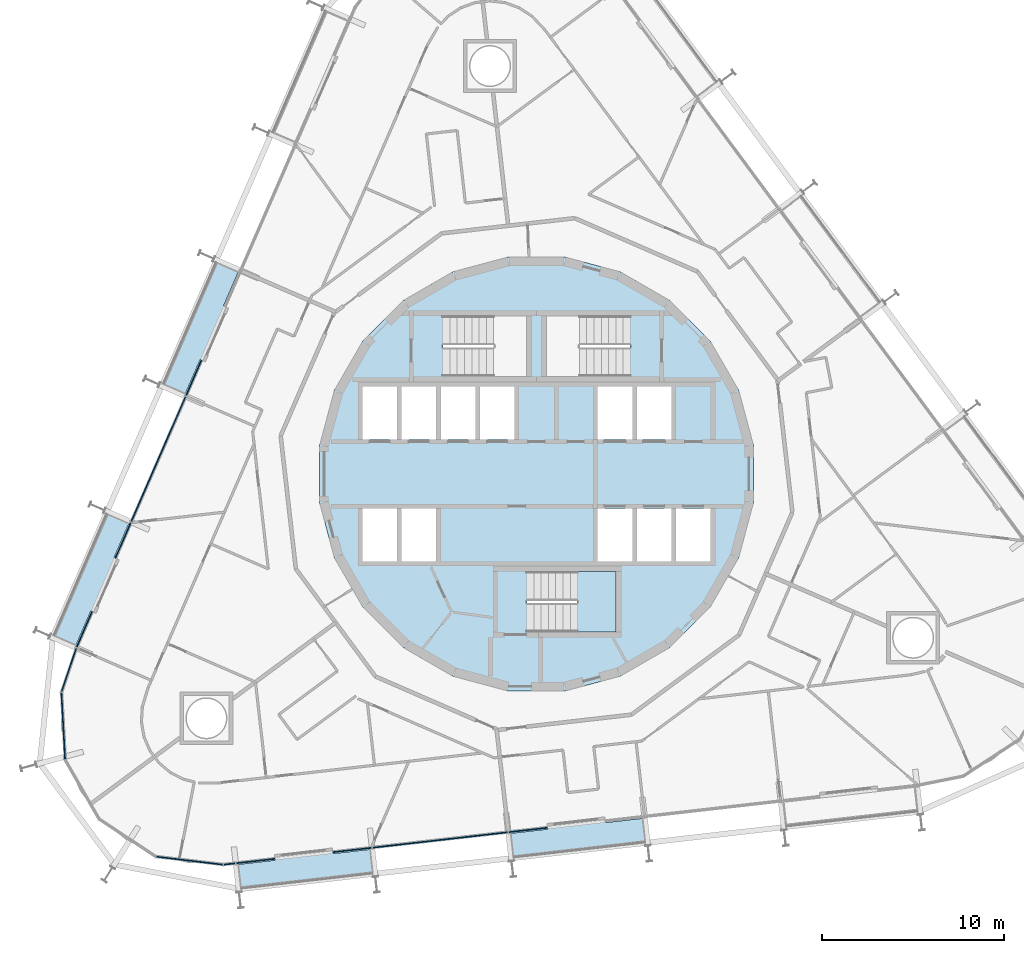
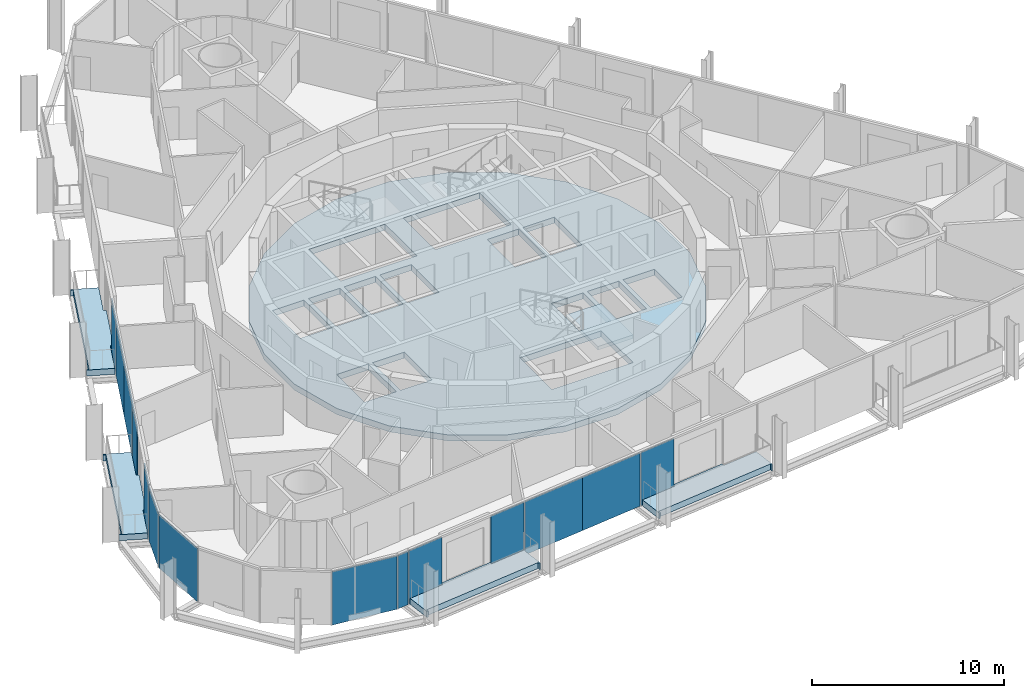
# One storey, part 13 of 24: 14 plates, 6 slabs, 4 elements without a shape of their own.
"""IFC4 building model written with IfcOpenShell, lengths in metres."""

from ifc_helpers import new_model, si_unit, direction, frame, origin, origin_2d, place, context, subcontext, project, spatial, polyline, rectangle, outline, extrude, material, layer, layer_set, type_object, element, aggregate, save


model = new_model("IFC4")

# Units and contexts
model_context = context("Model", 3, precision=1e-05, world=origin(), true_north=direction((0.0, 1.0)))
body_context = subcontext(model_context, "Body", "Model", "MODEL_VIEW")
ifc_project = project(units=[si_unit("LENGTHUNIT", "METRE"), si_unit("AREAUNIT", "SQUARE_METRE"), si_unit("VOLUMEUNIT", "CUBIC_METRE"), si_unit("PLANEANGLEUNIT", "RADIAN"), si_unit("MASSUNIT", "GRAM", prefix="KILO")], contexts=[model_context])

# Site, building, storey
site_placement = place(None, origin())
site = spatial("IfcSite", under=ifc_project, at=site_placement, CompositionType="ELEMENT")
building_placement = place(site_placement, origin())
building = spatial("IfcBuilding", under=site, at=building_placement, Name="Spindle Arch Residences", CompositionType="ELEMENT")
storey_placement = place(building_placement, frame((0.0, 0.0, 87.199951171875)))
storey = spatial("IfcBuildingStorey", under=building, at=storey_placement, Name="L20", CompositionType="ELEMENT", Elevation=87.199951171875)

# Slabs
ifc_material_1 = material(Name="Concrete C40/50", Category="concrete")
ifc_layer_1 = layer(ifc_material_1, 0.3798828125)
ifc_layer_set_1 = layer_set([ifc_layer_1], Name="Balcony slab 380")
slab_type_1 = type_object("IfcSlabType", Name="Balcony slab 380", PredefinedType="FLOOR", material=ifc_layer_set_1)
slab_1_placement = place(storey_placement, frame((0.0, 0.0, -0.3798828125)))
element("IfcSlab", 1, at=slab_1_placement, inside=storey, type_object=slab_type_1, Name="Balcony L20 bay 16", PredefinedType="FLOOR", context=body_context, shape_type="SweptSolid", body=[
    extrude(outline(polyline([(-17.704345703125, 11.715576171875), (-17.734130859375, 11.64697265625), (-17.5966796875, 11.587158203125), (-20.47509765625, 4.967041015625), (-20.61279296875, 5.02685546875), (-20.642578125, 4.9580078125), (-19.276123046875, 4.36376953125), (-18.445068359375, 6.275390625), (-18.29833984375, 6.211669921875), (-17.022216796875, 9.146240234375), (-17.1689453125, 9.2099609375), (-16.337890625, 11.12158203125), (-17.704345703125, 11.715576171875)])), origin(), (0.0, 0.0, 1.0), 0.3798828125),
])
slab_2_placement = place(storey_placement, frame((0.0, 0.0, -0.3798828125)))
element("IfcSlab", 2, at=slab_2_placement, inside=storey, type_object=slab_type_1, Name="Balcony L20 bay 18", PredefinedType="FLOOR", context=body_context, shape_type="SweptSolid", body=[
    extrude(outline(polyline([(-23.700439453125, -2.07470703125), (-23.73046875, -2.1435546875), (-23.5927734375, -2.203369140625), (-26.471435546875, -8.823486328125), (-26.60888671875, -8.763671875), (-26.638916015625, -8.832275390625), (-25.2724609375, -9.426513671875), (-24.441162109375, -7.514892578125), (-24.29443359375, -7.578857421875), (-23.0185546875, -4.644287109375), (-23.165283203125, -4.580322265625), (-22.334228515625, -2.6689453125), (-23.700439453125, -2.07470703125)])), origin(), (0.0, 0.0, 1.0), 0.3798828125),
])
slab_3_placement = place(storey_placement, frame((0.0, 0.0, -0.3798828125)))
element("IfcSlab", 3, at=slab_3_placement, inside=storey, type_object=slab_type_1, Name="Balcony L20 bay 22", PredefinedType="FLOOR", context=body_context, shape_type="SweptSolid", body=[
    extrude(outline(polyline([(-16.23486328125, -22.892578125), (-16.160400390625, -22.884033203125), (-16.177490234375, -22.735107421875), (-9.0048828125, -21.917724609375), (-8.988037109375, -22.06689453125), (-8.91357421875, -22.058349609375), (-9.08203125, -20.577880859375), (-11.153076171875, -20.81396484375), (-11.171142578125, -20.655029296875), (-14.3505859375, -21.01708984375), (-14.33251953125, -21.176025390625), (-16.403564453125, -21.412109375), (-16.23486328125, -22.892578125)])), origin(), (0.0, 0.0, 1.0), 0.3798828125),
])
slab_4_placement = place(storey_placement, frame((0.0, 0.0, -0.3798828125)))
element("IfcSlab", 4, at=slab_4_placement, inside=storey, type_object=slab_type_1, Name="Balcony L20 bay 24", PredefinedType="FLOOR", context=body_context, shape_type="SweptSolid", body=[
    extrude(outline(polyline([(-1.2939453125, -21.190185546875), (-1.219482421875, -21.181640625), (-1.236328125, -21.03271484375), (5.93603515625, -20.215576171875), (5.953125, -20.364501953125), (6.027587890625, -20.35595703125), (5.85888671875, -18.875732421875), (3.787841796875, -19.111572265625), (3.769775390625, -18.95263671875), (0.59033203125, -19.31494140625), (0.6083984375, -19.473876953125), (-1.462646484375, -19.709716796875), (-1.2939453125, -21.190185546875)])), origin(), (0.0, 0.0, 1.0), 0.3798828125),
])
ifc_material_2 = material(Name="Concrete C50/60", Category="concrete")
ifc_layer_2 = layer(ifc_material_2, 0.3798828125)
ifc_layer_set_2 = layer_set([ifc_layer_2], Name="Core floor slab 380")
slab_type_2 = type_object("IfcSlabType", Name="Core floor slab 380", PredefinedType="FLOOR", material=ifc_layer_set_2)
slab_5_placement = place(storey_placement, frame((0.0, 0.0, -0.3798828125)))
element("IfcSlab", 5, at=slab_5_placement, inside=storey, type_object=slab_type_2, Name="Core floor L20", PredefinedType="FLOOR", context=body_context, shape_type="SweptSolid", body=[
    extrude(outline(polyline([(1.56640625, -11.897216796875), (4.59228515625, -11.086669921875), (7.30517578125, -9.520263671875), (9.520263671875, -7.30517578125), (11.086669921875, -4.59228515625), (11.897216796875, -1.56640625), (11.897216796875, 1.56640625), (11.086669921875, 4.59228515625), (9.520263671875, 7.30517578125), (7.30517578125, 9.520263671875), (4.59228515625, 11.086669921875), (1.56640625, 11.897216796875), (-1.56640625, 11.897216796875), (-4.59228515625, 11.086669921875), (-7.30517578125, 9.520263671875), (-9.520263671875, 7.30517578125), (-11.086669921875, 4.59228515625), (-11.897216796875, 1.56640625), (-11.897216796875, -1.56640625), (-11.086669921875, -4.59228515625), (-9.520263671875, -7.30517578125), (-7.30517578125, -9.520263671875), (-4.59228515625, -11.086669921875), (-1.56640625, -11.897216796875), (1.56640625, -11.897216796875)]), holes=[polyline([(-9.550048828125, 1.89990234375), (-7.64990234375, 1.89990234375), (-7.64990234375, 4.800048828125), (-9.550048828125, 4.800048828125), (-9.550048828125, 1.89990234375)]), polyline([(-7.39990234375, 1.89990234375), (-5.5, 1.89990234375), (-5.5, 4.800048828125), (-7.39990234375, 4.800048828125), (-7.39990234375, 1.89990234375)]), polyline([(-5.25, 1.89990234375), (-3.35009765625, 1.89990234375), (-3.35009765625, 4.800048828125), (-5.25, 4.800048828125), (-5.25, 1.89990234375)]), polyline([(-3.10009765625, 1.89990234375), (-1.199951171875, 1.89990234375), (-1.199951171875, 4.800048828125), (-3.10009765625, 4.800048828125), (-3.10009765625, 1.89990234375)]), polyline([(3.35009765625, 1.89990234375), (5.25, 1.89990234375), (5.25, 4.800048828125), (3.35009765625, 4.800048828125), (3.35009765625, 1.89990234375)]), polyline([(5.5, 1.89990234375), (7.39990234375, 1.89990234375), (7.39990234375, 4.800048828125), (5.5, 4.800048828125), (5.5, 1.89990234375)]), polyline([(-9.550048828125, -4.800048828125), (-7.64990234375, -4.800048828125), (-7.64990234375, -1.89990234375), (-9.550048828125, -1.89990234375), (-9.550048828125, -4.800048828125)]), polyline([(-7.39990234375, -4.800048828125), (-5.5, -4.800048828125), (-5.5, -1.89990234375), (-7.39990234375, -1.89990234375), (-7.39990234375, -4.800048828125)]), polyline([(3.35009765625, -4.800048828125), (5.25, -4.800048828125), (5.25, -1.89990234375), (3.35009765625, -1.89990234375), (3.35009765625, -4.800048828125)]), polyline([(5.5, -4.800048828125), (7.39990234375, -4.800048828125), (7.39990234375, -1.89990234375), (5.5, -1.89990234375), (5.5, -4.800048828125)]), polyline([(7.64990234375, -4.800048828125), (9.550048828125, -4.800048828125), (9.550048828125, -1.89990234375), (7.64990234375, -1.89990234375), (7.64990234375, -4.800048828125)]), polyline([(5.1298828125, 8.669921875), (0.550048828125, 8.669921875), (0.550048828125, 5.35009765625), (5.1298828125, 5.35009765625), (5.1298828125, 8.669921875)]), polyline([(-5.1298828125, 5.35009765625), (-0.550048828125, 5.35009765625), (-0.550048828125, 8.669921875), (-5.1298828125, 8.669921875), (-5.1298828125, 5.35009765625)]), polyline([(-0.530029296875, -8.669921875), (4.35009765625, -8.669921875), (4.35009765625, -5.35009765625), (-0.530029296875, -5.35009765625), (-0.530029296875, -8.669921875)])]), origin(), (0.0, 0.0, 1.0), 0.3798828125),
])

# Stair, slab
ifc_material_3 = material(Name="Concrete C50/60", Category="concrete")
stair_type = type_object("IfcStairType", Name="Exit stair 16 risers", PredefinedType="HALF_TURN_STAIR", material=ifc_material_3)
stair_placement = place(storey_placement, origin())
stair = element("IfcStair", 6, at=stair_placement, inside=storey, type_object=stair_type, Name="L20 Exit stair ST3", PredefinedType="HALF_TURN_STAIR")
ifc_material_4 = material(Name="Concrete C50/60", Category="concrete")
ifc_layer_3 = layer(ifc_material_4, 0.219970703125)
ifc_layer_set_3 = layer_set([ifc_layer_3], Name="Exit stair landing 220")
slab_type_3 = type_object("IfcSlabType", Name="Exit stair landing 220", PredefinedType="LANDING", material=ifc_layer_set_3)
slab_6_placement = place(storey_placement, frame((0.0, 0.0, 1.530029296875)))
slab_6 = element("IfcSlab", 7, at=slab_6_placement, type_object=slab_type_3, Name="ST3 landing 1", PredefinedType="LANDING", context=body_context, shape_type="SweptSolid", body=[
    extrude(outline(polyline([(2.22998046875, -8.669921875), (4.35009765625, -8.669921875), (4.35009765625, -5.35009765625), (2.22998046875, -5.35009765625), (2.22998046875, -8.669921875)])), origin(), (0.0, 0.0, 1.0), 0.219970703125),
])
aggregate(stair, [slab_6])

# Curtain wall, plates
ifc_material_5 = material(Name="Aluminium bronze unitised frame with tinted glass", Category="aluminium")
ifc_layer_4 = layer(ifc_material_5, 0.159912109375)
ifc_layer_set_4 = layer_set([ifc_layer_4], Name="CW-C typical residential unitised wall")
curtain_wall_type_1 = type_object("IfcCurtainWallType", Name="CW-C typical residential unitised wall", PredefinedType="NOTDEFINED", material=ifc_layer_set_4)
curtain_wall_1_placement = place(storey_placement, origin())
curtain_wall_1 = element("IfcCurtainWall", 8, at=curtain_wall_1_placement, inside=storey, type_object=curtain_wall_type_1, Name="CW-C L20 run 4", PredefinedType="NOTDEFINED")
ifc_material_6 = material(Name="Tinted double glazing over aluminium faced non-combustible spandrel zone (K0)", Category="aluminium")
ifc_layer_5 = layer(ifc_material_6, 0.06005859375)
ifc_layer_set_5 = layer_set([ifc_layer_5], Name="Unitised glass panel with E 60 spandrel zone")
plate_type = type_object("IfcPlateType", Name="Unitised glass panel with E 60 spandrel zone", PredefinedType="CURTAIN_PANEL", material=ifc_layer_set_5)
plate_1_placement = place(storey_placement, frame((-18.796142578125, 5.26708984375, -0.3798828125), z_axis=(0.0, 0.0, 1.0), x_axis=(-0.398749068925, -0.917060074385, 0.0)))
plate_1 = element("IfcPlate", 9, at=plate_1_placement, type_object=plate_type, Name="CW-C unit 15R", PredefinedType="CURTAIN_PANEL", context=body_context, shape_type="SweptSolid", body=[
    extrude(rectangle(XDim=2.12939453125, YDim=0.06005859375, at=origin_2d()), origin(), (0.0, 0.0, 1.0), 3.3798828125),
])
plate_2_placement = place(storey_placement, frame((-19.98828125, 2.525634765625, -0.3798828125), z_axis=(0.0, 0.0, 1.0), x_axis=(-0.398749068925, -0.917060074385, 0.0)))
plate_2 = element("IfcPlate", 10, at=plate_2_placement, type_object=plate_type, Name="CW-C unit 16A", PredefinedType="CURTAIN_PANEL", context=body_context, shape_type="SweptSolid", body=[
    extrude(rectangle(XDim=3.7294921875, YDim=0.06005859375, at=origin_2d()), origin(), (0.0, 0.0, 1.0), 3.3798828125),
])
plate_3_placement = place(storey_placement, frame((-21.475341796875, -0.89453125, -0.3798828125), z_axis=(0.0, 0.0, 1.0), x_axis=(-0.398749068925, -0.917060074385, 0.0)))
plate_3 = element("IfcPlate", 11, at=plate_3_placement, type_object=plate_type, Name="CW-C unit 16B", PredefinedType="CURTAIN_PANEL", context=body_context, shape_type="SweptSolid", body=[
    extrude(rectangle(XDim=3.7294921875, YDim=0.06005859375, at=origin_2d()), origin(), (0.0, 0.0, 1.0), 3.3798828125),
])
plate_4_placement = place(storey_placement, frame((-22.66748046875, -3.635986328125, -0.3798828125), z_axis=(0.0, 0.0, 1.0), x_axis=(-0.398749068925, -0.917060074385, 0.0)))
plate_4 = element("IfcPlate", 12, at=plate_4_placement, type_object=plate_type, Name="CW-C unit 17L", PredefinedType="CURTAIN_PANEL", context=body_context, shape_type="SweptSolid", body=[
    extrude(rectangle(XDim=2.12939453125, YDim=0.06005859375, at=origin_2d()), origin(), (0.0, 0.0, 1.0), 3.3798828125),
])
plate_5_placement = place(storey_placement, frame((-24.79248046875, -8.523193359375, -0.3798828125), z_axis=(0.0, 0.0, 1.0), x_axis=(-0.398749068925, -0.917060074385, 0.0)))
plate_5 = element("IfcPlate", 13, at=plate_5_placement, type_object=plate_type, Name="CW-C unit 17R", PredefinedType="CURTAIN_PANEL", context=body_context, shape_type="SweptSolid", body=[
    extrude(rectangle(XDim=2.12939453125, YDim=0.06005859375, at=origin_2d()), origin(), (0.0, 0.0, 1.0), 3.3798828125),
])
aggregate(curtain_wall_1, [plate_1, plate_2, plate_3, plate_4, plate_5])

ifc_material_7 = material(Name="Aluminium bronze unitised frame with tinted glass", Category="aluminium")
ifc_layer_6 = layer(ifc_material_7, 0.159912109375)
ifc_layer_set_6 = layer_set([ifc_layer_6], Name="CW-D corner wall on the fillet arcs")
curtain_wall_type_2 = type_object("IfcCurtainWallType", Name="CW-D corner wall on the fillet arcs", PredefinedType="NOTDEFINED", material=ifc_layer_set_6)
curtain_wall_2_placement = place(storey_placement, origin())
curtain_wall_2 = element("IfcCurtainWall", 14, at=curtain_wall_2_placement, inside=storey, type_object=curtain_wall_type_2, Name="CW-D L20 run 5", PredefinedType="NOTDEFINED")
plate_6_placement = place(storey_placement, frame((-25.640380859375, -10.746826171875, -0.3798828125), z_axis=(0.0, 0.0, 1.0), x_axis=(-0.319727106941, -0.947509671237, 0.0)))
plate_6 = element("IfcPlate", 15, at=plate_6_placement, type_object=plate_type, Name="CW-D unit 00", PredefinedType="CURTAIN_PANEL", context=body_context, shape_type="SweptSolid", body=[
    extrude(rectangle(XDim=2.51416015625, YDim=0.06005859375, at=origin_2d()), origin(), (0.0, 0.0, 1.0), 3.3798828125),
])
plate_7_placement = place(storey_placement, frame((-25.948974609375, -13.82666015625, -0.3798828125), z_axis=(0.0, 0.0, 1.0), x_axis=(0.055240622495, -0.998473071057, 0.0)))
plate_7 = element("IfcPlate", 16, at=plate_7_placement, type_object=plate_type, Name="CW-D unit 01", PredefinedType="CURTAIN_PANEL", context=body_context, shape_type="SweptSolid", body=[
    extrude(rectangle(XDim=3.666748046875, YDim=0.06005859375, at=origin_2d()), origin(), (0.0, 0.0, 1.0), 3.3798828125),
])
plate_8_placement = place(storey_placement, frame((-19.034423828125, -21.19873046875, -0.3798828125), z_axis=(0.0, 0.0, 1.0), x_axis=(0.992896454881, -0.118981636756, 0.0)))
plate_8 = element("IfcPlate", 17, at=plate_8_placement, type_object=plate_type, Name="CW-D unit 04", PredefinedType="CURTAIN_PANEL", context=body_context, shape_type="SweptSolid", body=[
    extrude(rectangle(XDim=3.666748046875, YDim=0.06005859375, at=origin_2d()), origin(), (0.0, 0.0, 1.0), 3.3798828125),
])
plate_9_placement = place(storey_placement, frame((-16.835693359375, -21.380859375, -0.3798828125), z_axis=(0.0, 0.0, 1.0), x_axis=(0.993571855677, 0.113203213768, 0.0)))
plate_9 = element("IfcPlate", 18, at=plate_9_placement, type_object=plate_type, Name="CW-D unit 05", PredefinedType="CURTAIN_PANEL", context=body_context, shape_type="SweptSolid", body=[
    extrude(rectangle(XDim=0.6416015625, YDim=0.06005859375, at=origin_2d()), origin(), (0.0, 0.0, 1.0), 3.3798828125),
])
aggregate(curtain_wall_2, [plate_6, plate_7, plate_8, plate_9])

curtain_wall_3_placement = place(storey_placement, origin())
curtain_wall_3 = element("IfcCurtainWall", 19, at=curtain_wall_3_placement, inside=storey, type_object=curtain_wall_type_1, Name="CW-C L20 run 6", PredefinedType="NOTDEFINED")
plate_10_placement = place(storey_placement, frame((-15.3994140625, -21.21728515625, -0.3798828125), z_axis=(0.0, 0.0, 1.0), x_axis=(0.993571855677, 0.113203213768, 0.0)))
plate_10 = element("IfcPlate", 20, at=plate_10_placement, type_object=plate_type, Name="CW-C unit 21L", PredefinedType="CURTAIN_PANEL", context=body_context, shape_type="SweptSolid", body=[
    extrude(rectangle(XDim=2.12939453125, YDim=0.06005859375, at=origin_2d()), origin(), (0.0, 0.0, 1.0), 3.3798828125),
])
plate_11_placement = place(storey_placement, frame((-10.104248046875, -20.61376953125, -0.3798828125), z_axis=(0.0, 0.0, 1.0), x_axis=(0.993571855677, 0.113203213768, 0.0)))
plate_11 = element("IfcPlate", 21, at=plate_11_placement, type_object=plate_type, Name="CW-C unit 21R", PredefinedType="CURTAIN_PANEL", context=body_context, shape_type="SweptSolid", body=[
    extrude(rectangle(XDim=2.12939453125, YDim=0.06005859375, at=origin_2d()), origin(), (0.0, 0.0, 1.0), 3.3798828125),
])
plate_12_placement = place(storey_placement, frame((-7.134033203125, -20.275390625, -0.3798828125), z_axis=(0.0, 0.0, 1.0), x_axis=(0.993571855677, 0.113203213768, 0.0)))
plate_12 = element("IfcPlate", 22, at=plate_12_placement, type_object=plate_type, Name="CW-C unit 22A", PredefinedType="CURTAIN_PANEL", context=body_context, shape_type="SweptSolid", body=[
    extrude(rectangle(XDim=3.7294921875, YDim=0.06005859375, at=origin_2d()), origin(), (0.0, 0.0, 1.0), 3.3798828125),
])
plate_13_placement = place(storey_placement, frame((-3.4287109375, -19.853271484375, -0.3798828125), z_axis=(0.0, 0.0, 1.0), x_axis=(0.993571855677, 0.113203213768, 0.0)))
plate_13 = element("IfcPlate", 23, at=plate_13_placement, type_object=plate_type, Name="CW-C unit 22B", PredefinedType="CURTAIN_PANEL", context=body_context, shape_type="SweptSolid", body=[
    extrude(rectangle(XDim=3.7294921875, YDim=0.06005859375, at=origin_2d()), origin(), (0.0, 0.0, 1.0), 3.3798828125),
])
plate_14_placement = place(storey_placement, frame((-0.45849609375, -19.514892578125, -0.3798828125), z_axis=(0.0, 0.0, 1.0), x_axis=(0.993571855677, 0.113203213768, 0.0)))
plate_14 = element("IfcPlate", 24, at=plate_14_placement, type_object=plate_type, Name="CW-C unit 23L", PredefinedType="CURTAIN_PANEL", context=body_context, shape_type="SweptSolid", body=[
    extrude(rectangle(XDim=2.12939453125, YDim=0.06005859375, at=origin_2d()), origin(), (0.0, 0.0, 1.0), 3.3798828125),
])
aggregate(curtain_wall_3, [plate_10, plate_11, plate_12, plate_13, plate_14])

save(model, "model.ifc")
